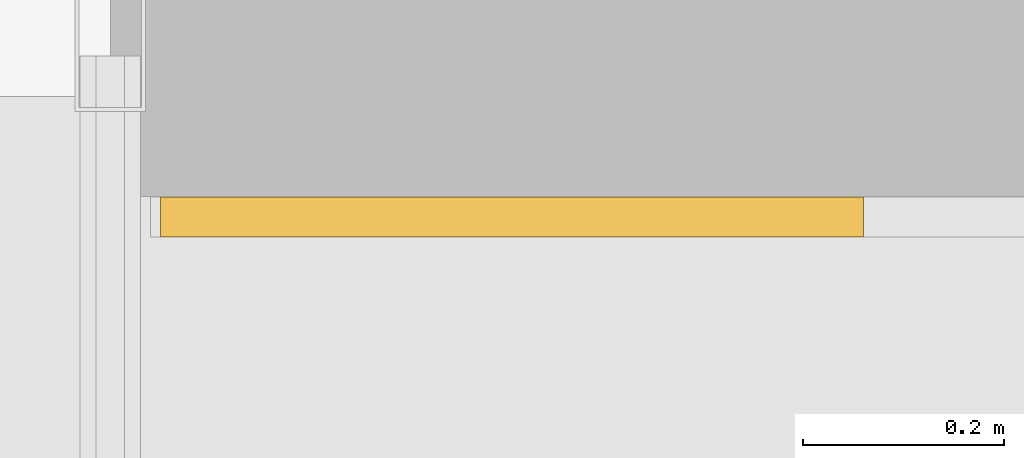
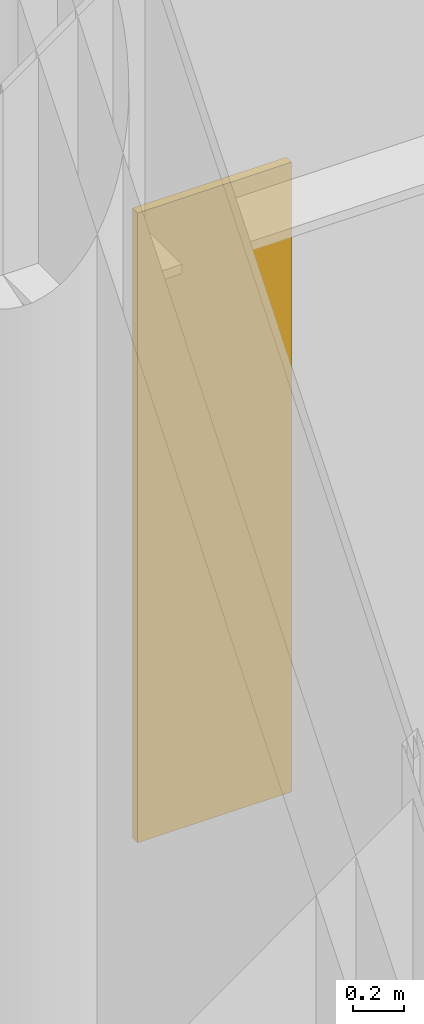
# One storey, part 43 of 50: 1 covering.
"""IFC4 building model written with IfcOpenShell, lengths in metres."""

from ifc_helpers import new_model, si_unit, direction, frame, origin, place, context, subcontext, project, spatial, polyline, outline, extrude, material, layer, layer_set, type_object, element, save


model = new_model("IFC4")

# Units and contexts
model_context = context("Model", 3, precision=1e-05, world=origin(), true_north=direction((0.0, 1.0)))
body_context = subcontext(model_context, "Body", "Model", "MODEL_VIEW")
ifc_project = project(units=[si_unit("LENGTHUNIT", "METRE"), si_unit("AREAUNIT", "SQUARE_METRE"), si_unit("VOLUMEUNIT", "CUBIC_METRE"), si_unit("PLANEANGLEUNIT", "RADIAN"), si_unit("MASSUNIT", "GRAM", prefix="KILO")], contexts=[model_context])

# Site, building, storey
site_placement = place(None, origin())
site = spatial("IfcSite", under=ifc_project, at=site_placement, CompositionType="ELEMENT")
building_placement = place(site_placement, origin())
building = spatial("IfcBuilding", under=site, at=building_placement, Name="Tolvann Quenvar Hotel", CompositionType="ELEMENT")
storey_placement = place(building_placement, frame((0.0, 0.0, 16.0)))
storey = spatial("IfcBuildingStorey", under=building, at=storey_placement, Name="L03", CompositionType="ELEMENT", Elevation=16.0)

# Covering
ifc_material = material(Name="Kiln-fired red architectural face brick cladding", Category="masonry")
ifc_layer = layer(ifc_material, 0.0400390625)
ifc_layer_set = layer_set([ifc_layer], Name="Kiln-fired red architectural face brick cladding")
covering_type = type_object("IfcCoveringType", Name="COV_CLAD_BRICK_40", PredefinedType="CLADDING", material=ifc_layer_set)
covering_placement = place(storey_placement, frame((0.0, 0.0, 0.699951171875)))
element("IfcCovering", 1, at=covering_placement, inside=storey, type_object=covering_type, Name="Brick Pier Cladding (L03-E02-P1)", PredefinedType="CLADDING", context=body_context, shape_type="SweptSolid", body=[
    extrude(outline(polyline([(19.4599609375, 27.39990234375), (20.159912109375, 27.39990234375), (20.159912109375, 27.360107421875), (19.4599609375, 27.360107421875), (19.4599609375, 27.39990234375)])), origin(), (0.0, 0.0, 1.0), 3.030029296875),
])

save(model, "model.ifc")
